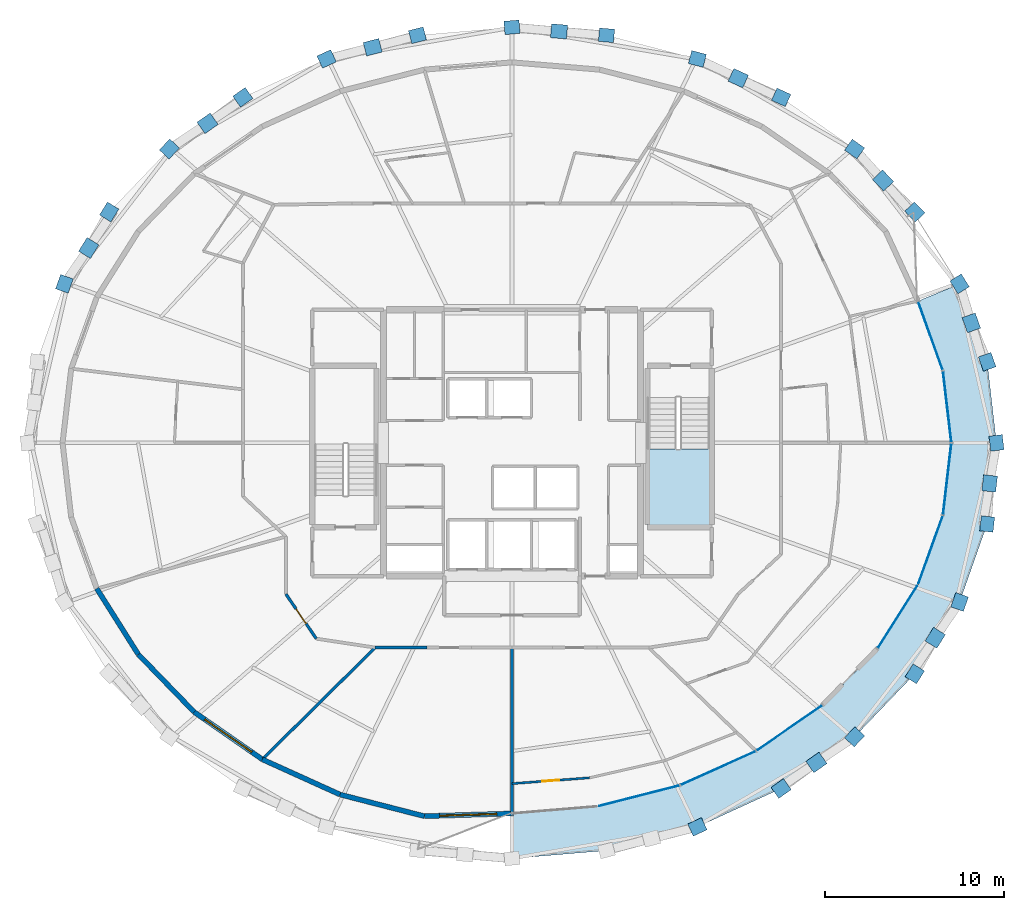
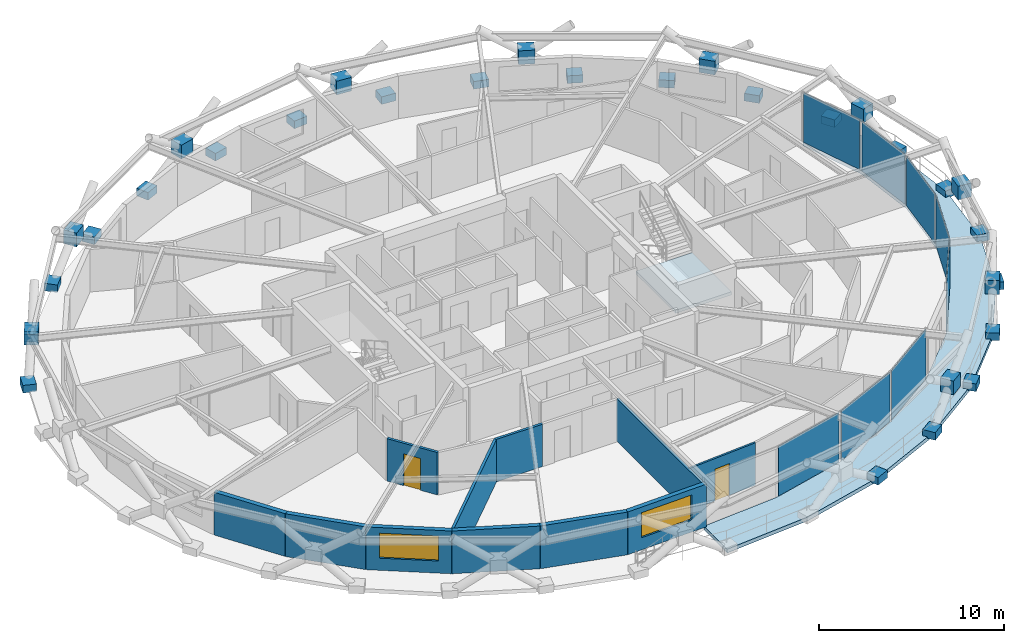
# One storey, part 11 of 16: 39 plates, 11 walls, 2 doors, 2 slabs, 2 windows, 4 openings, 3 elements without a shape of their own.
"""IFC4 building model written with IfcOpenShell, lengths in metres."""

from ifc_helpers import new_model, si_unit, direction, frame, frame_2d, origin, origin_2d, place, context, subcontext, project, spatial, polyline, rectangle, outline, extrude, material, layer, layer_set, type_object, element, fill, aggregate, save


model = new_model("IFC4")

# Units and contexts
model_context = context("Model", 3, precision=1e-05, world=origin(), true_north=direction((0.0, 1.0)))
body_context = subcontext(model_context, "Body", "Model", "MODEL_VIEW")
ifc_project = project(units=[si_unit("LENGTHUNIT", "METRE"), si_unit("AREAUNIT", "SQUARE_METRE"), si_unit("VOLUMEUNIT", "CUBIC_METRE"), si_unit("PLANEANGLEUNIT", "RADIAN"), si_unit("MASSUNIT", "GRAM", prefix="KILO")], contexts=[model_context])

# Site, building, storey
site_placement = place(None, origin())
site = spatial("IfcSite", under=ifc_project, at=site_placement, CompositionType="ELEMENT")
building_placement = place(site_placement, origin())
building = spatial("IfcBuilding", under=site, at=building_placement, Name="Veldorina Hangang Commons", CompositionType="ELEMENT")
storey_placement = place(building_placement, frame((0.0, 0.0, 189.199951171875)))
storey = spatial("IfcBuildingStorey", under=building, at=storey_placement, Name="L49", CompositionType="ELEMENT", Elevation=189.199951171875)

# Curtain wall, plates
ifc_material_1 = material(Name="Glass Low-E Triple IGU", Category="glass")
ifc_layer_1 = layer(ifc_material_1, 0.179931640625)
ifc_layer_set_1 = layer_set([ifc_layer_1], Name="Glass Low-E Triple IGU")
curtain_wall_type = type_object("IfcCurtainWallType", Name="CW-SYS-Z2", PredefinedType="NOTDEFINED", material=ifc_layer_set_1)
curtain_wall_1_placement = place(storey_placement, origin())
curtain_wall_1 = element("IfcCurtainWall", 1, at=curtain_wall_1_placement, inside=storey, type_object=curtain_wall_type, Name="L49 unitised curtain wall CW-L49-R1", PredefinedType="NOTDEFINED")
ifc_layer_2 = layer(ifc_material_1, 0.0400390625)
ifc_layer_set_2 = layer_set([ifc_layer_2], Name="Glass Low-E Triple IGU")
plate_type_1 = type_object("IfcPlateType", Name="CW-PNL-VIS", PredefinedType="CURTAIN_PANEL", material=ifc_layer_set_2)
plate_1_placement = place(storey_placement, frame((39.10205078125, 4.256591796875, 0.01513671875), z_axis=(0.0, 0.0, 1.0), x_axis=(0.968799815159, 0.247844544316, 0.0)))
plate_1 = element("IfcPlate", 2, at=plate_1_placement, type_object=plate_type_1, Name="CW-L49-R1 facet 2 glazed vision panel", PredefinedType="CURTAIN_PANEL", context=body_context, shape_type="SweptSolid", body=[
    extrude(rectangle(XDim=4.580322265625, YDim=0.0400390625, at=origin_2d()), origin(), (0.0, 0.0, 1.0), 3.280029296875),
])
plate_2_placement = place(storey_placement, frame((43.533203125, 5.804443359375, 0.01513671875), z_axis=(0.0, 0.0, 1.0), x_axis=(0.911668830957, 0.410925714285, 0.0)))
plate_2 = element("IfcPlate", 3, at=plate_2_placement, type_object=plate_type_1, Name="CW-L49-R1 facet 3 glazed vision panel", PredefinedType="CURTAIN_PANEL", context=body_context, shape_type="SweptSolid", body=[
    extrude(rectangle(XDim=4.482177734375, YDim=0.0400390625, at=origin_2d()), origin(), (0.0, 0.0, 1.0), 3.280029296875),
])
plate_3_placement = place(storey_placement, frame((47.52099609375, 8.051513671875, 0.01513671875), z_axis=(0.0, 0.0, 1.0), x_axis=(0.822283117715, 0.569078618752, 0.0)))
plate_3 = element("IfcPlate", 4, at=plate_3_placement, type_object=plate_type_1, Name="CW-L49-R1 facet 4 glazed vision panel", PredefinedType="CURTAIN_PANEL", context=body_context, shape_type="SweptSolid", body=[
    extrude(rectangle(XDim=4.3505859375, YDim=0.0400390625, at=origin_2d()), origin(), (0.0, 0.0, 1.0), 3.280029296875),
])
aggregate(curtain_wall_1, [plate_1, plate_2, plate_3])

curtain_wall_2_placement = place(storey_placement, origin())
curtain_wall_2 = element("IfcCurtainWall", 5, at=curtain_wall_2_placement, inside=storey, type_object=curtain_wall_type, Name="L49 unitised curtain wall CW-L49-R2", PredefinedType="NOTDEFINED")
plate_4_placement = place(storey_placement, frame((53.576904296875, 14.2744140625, 0.01513671875), z_axis=(0.0, 0.0, 1.0), x_axis=(0.535355149761, 0.844627055939, 0.0)))
plate_4 = element("IfcPlate", 6, at=plate_4_placement, type_object=plate_type_1, Name="CW-L49-R2 facet 1 glazed vision panel", PredefinedType="CURTAIN_PANEL", context=body_context, shape_type="SweptSolid", body=[
    extrude(rectangle(XDim=4.0634765625, YDim=0.0400390625, at=origin_2d()), origin(), (0.0, 0.0, 1.0), 3.280029296875),
])
plate_5_placement = place(storey_placement, frame((55.412109375, 18.010986328125, 0.01513671875), z_axis=(0.0, 0.0, 1.0), x_axis=(0.33849158663, 0.94096941809, 0.0)))
plate_5 = element("IfcPlate", 7, at=plate_5_placement, type_object=plate_type_1, Name="CW-L49-R2 facet 2 glazed vision panel", PredefinedType="CURTAIN_PANEL", context=body_context, shape_type="SweptSolid", body=[
    extrude(rectangle(XDim=3.953125, YDim=0.0400390625, at=origin_2d()), origin(), (0.0, 0.0, 1.0), 3.280029296875),
])
plate_6_placement = place(storey_placement, frame((56.347900390625, 21.977783203125, 0.01513671875), z_axis=(0.0, 0.0, 1.0), x_axis=(0.116012015769, 0.993247810064, 0.0)))
plate_6 = element("IfcPlate", 8, at=plate_6_placement, type_object=plate_type_1, Name="CW-L49-R2 facet 3 glazed vision panel", PredefinedType="CURTAIN_PANEL", context=body_context, shape_type="SweptSolid", body=[
    extrude(rectangle(XDim=3.89208984375, YDim=0.0400390625, at=origin_2d()), origin(), (0.0, 0.0, 1.0), 3.280029296875),
])
plate_7_placement = place(storey_placement, frame((56.347900390625, 26.022216796875, 0.01513671875), z_axis=(0.0, 0.0, 1.0), x_axis=(-0.116012015769, 0.993247810064, 0.0)))
plate_7 = element("IfcPlate", 9, at=plate_7_placement, type_object=plate_type_1, Name="CW-L49-R2 facet 4 glazed vision panel", PredefinedType="CURTAIN_PANEL", context=body_context, shape_type="SweptSolid", body=[
    extrude(rectangle(XDim=3.89208984375, YDim=0.0400390625, at=origin_2d()), origin(), (0.0, 0.0, 1.0), 3.280029296875),
])
plate_8_placement = place(storey_placement, frame((55.412109375, 29.989013671875, 0.01513671875), z_axis=(0.0, 0.0, 1.0), x_axis=(-0.33849158663, 0.94096941809, 0.0)))
plate_8 = element("IfcPlate", 10, at=plate_8_placement, type_object=plate_type_1, Name="CW-L49-R2 facet 5 glazed vision panel", PredefinedType="CURTAIN_PANEL", context=body_context, shape_type="SweptSolid", body=[
    extrude(rectangle(XDim=3.953125, YDim=0.0400390625, at=origin_2d()), origin(), (0.0, 0.0, 1.0), 3.280029296875),
])
aggregate(curtain_wall_2, [plate_4, plate_5, plate_6, plate_7, plate_8])

# Plates
ifc_material_2 = material(Name="Steel SM460-TMC", Category="steel")
ifc_layer_3 = layer(ifc_material_2, 0.035888671875)
ifc_layer_set_3 = layer_set([ifc_layer_3], Name="Steel SM460-TMC")
plate_type_2 = type_object("IfcPlateType", Name="PL-STAR-36", PredefinedType="USERDEFINED", material=ifc_layer_set_3)
for number, where, z_axis, x_axis, name in (
    (11, (59.10400390625, 24.0, -0.08984375), (0.0, 0.0, 1.0), (-0.114070225565, 0.993472688925, 0.0), "L49 diagrid star-node gusset plate 00"),
    (12, (58.583251953125, 28.5361328125, -0.08984375), (0.0, 0.0, 1.0), (-0.33337906774, 0.94279287078, 0.0), "L49 diagrid star-node gusset plate 01"),
):
    element("IfcPlate", number, at=place(storey_placement, frame(where, z_axis=z_axis, x_axis=x_axis)), inside=storey, type_object=plate_type_2, Name=name, ObjectType="GUSSET PLATE", PredefinedType="USERDEFINED", context=body_context, shape_type="SweptSolid", body=[
        extrude(rectangle(XDim=0.85009765625, YDim=0.75, at=origin_2d()), origin(), (0.0, 0.0, 1.0), 0.5),
    ])
plate_9_placement = place(storey_placement, frame((57.69873046875, 30.71630859375, 1.351318359375), z_axis=(0.0, 0.0, 1.0), x_axis=(-0.33337906774, 0.94279287078, 0.0)))
element("IfcPlate", 13, at=plate_9_placement, inside=storey, type_object=plate_type_2, Name="L49 diagrid X-crossing star-node gusset plate 01", ObjectType="GUSSET PLATE", PredefinedType="USERDEFINED", context=body_context, shape_type="SweptSolid", body=[
    extrude(rectangle(XDim=0.89990234375, YDim=0.780029296875, at=origin_2d()), origin(), (0.0, 0.0, 1.0), 0.89990234375),
])
for number, where, z_axis, x_axis, name in (
    (14, (57.041015625, 32.89794921875, -0.08984375), (0.0, 0.0, 1.0), (-0.528838344516, 0.848722572676, 0.0), "L49 diagrid star-node gusset plate 02"),
    (15, (54.5361328125, 36.917724609375, -0.08984375), (0.0, 0.0, 1.0), (-0.691260861067, 0.722605301639, 0.0), "L49 diagrid star-node gusset plate 03"),
):
    element("IfcPlate", number, at=place(storey_placement, frame(where, z_axis=z_axis, x_axis=x_axis)), inside=storey, type_object=plate_type_2, Name=name, ObjectType="GUSSET PLATE", PredefinedType="USERDEFINED", context=body_context, shape_type="SweptSolid", body=[
        extrude(rectangle(XDim=0.85009765625, YDim=0.75, at=origin_2d()), origin(), (0.0, 0.0, 1.0), 0.5),
    ])
plate_10_placement = place(storey_placement, frame((52.760498046875, 38.67919921875, 1.354248046875), z_axis=(0.0, 0.0, 1.0), x_axis=(-0.691260861067, 0.722605301639, 0.0)))
element("IfcPlate", 16, at=plate_10_placement, inside=storey, type_object=plate_type_2, Name="L49 diagrid X-crossing star-node gusset plate 03", ObjectType="GUSSET PLATE", PredefinedType="USERDEFINED", context=body_context, shape_type="SweptSolid", body=[
    extrude(rectangle(XDim=0.89990234375, YDim=0.780029296875, at=origin_2d()), origin(), (0.0, 0.0, 1.0), 0.89990234375),
])
for number, where, z_axis, x_axis, name in (
    (17, (51.16552734375, 40.44140625, -0.08984375), (0.0, 0.0, 1.0), (-0.817687809993, 0.575661919349, 0.0), "L49 diagrid star-node gusset plate 04"),
    (18, (47.05810546875, 43.3330078125, -0.08984375), (0.0, 0.0, 1.0), (-0.908988922979, 0.416820270503, 0.0), "L49 diagrid star-node gusset plate 05"),
):
    element("IfcPlate", number, at=place(storey_placement, frame(where, z_axis=z_axis, x_axis=x_axis)), inside=storey, type_object=plate_type_2, Name=name, ObjectType="GUSSET PLATE", PredefinedType="USERDEFINED", context=body_context, shape_type="SweptSolid", body=[
        extrude(rectangle(XDim=0.85009765625, YDim=0.75, at=origin_2d()), origin(), (0.0, 0.0, 1.0), 0.5),
    ])
plate_11_placement = place(storey_placement, frame((44.659423828125, 44.40576171875, 1.35693359375), z_axis=(0.0, 0.0, 1.0), x_axis=(-0.908988922979, 0.416820270503, 0.0)))
element("IfcPlate", 19, at=plate_11_placement, inside=storey, type_object=plate_type_2, Name="L49 diagrid X-crossing star-node gusset plate 05", ObjectType="GUSSET PLATE", PredefinedType="USERDEFINED", context=body_context, shape_type="SweptSolid", body=[
    extrude(rectangle(XDim=0.89990234375, YDim=0.780029296875, at=origin_2d()), origin(), (0.0, 0.0, 1.0), 0.89990234375),
])
for number, where, z_axis, x_axis, name in (
    (20, (42.372314453125, 45.481689453125, -0.08984375), (0.0, 0.0, 1.0), (-0.967770733756, 0.251832894763, 0.0), "L49 diagrid star-node gusset plate 06"),
    (21, (37.28759765625, 46.8046875, -0.08984375), (0.0, 0.0, 1.0), (-0.996448909038, 0.084199594279, 0.0), "L49 diagrid star-node gusset plate 07"),
):
    element("IfcPlate", number, at=place(storey_placement, frame(where, z_axis=z_axis, x_axis=x_axis)), inside=storey, type_object=plate_type_2, Name=name, ObjectType="GUSSET PLATE", PredefinedType="USERDEFINED", context=body_context, shape_type="SweptSolid", body=[
        extrude(rectangle(XDim=0.85009765625, YDim=0.75, at=origin_2d()), origin(), (0.0, 0.0, 1.0), 0.5),
    ])
plate_12_placement = place(storey_placement, frame((34.632080078125, 47.02294921875, 1.358154296875), z_axis=(0.0, 0.0, 1.0), x_axis=(-0.996448909038, 0.084199594279, 0.0)))
element("IfcPlate", 22, at=plate_12_placement, inside=storey, type_object=plate_type_2, Name="L49 diagrid X-crossing star-node gusset plate 07", ObjectType="GUSSET PLATE", PredefinedType="USERDEFINED", context=body_context, shape_type="SweptSolid", body=[
    extrude(rectangle(XDim=0.89990234375, YDim=0.780029296875, at=origin_2d()), origin(), (0.0, 0.0, 1.0), 0.89990234375),
])
for number, where, z_axis, x_axis, name in (
    (23, (32.0, 47.25146484375, -0.08984375), (0.0, 0.0, 1.0), (-0.996448909038, -0.084199594279, 0.0), "L49 diagrid star-node gusset plate 08"),
    (24, (26.71240234375, 46.8046875, -0.08984375), (0.0, 0.0, 1.0), (-0.967770733756, -0.251832894763, 0.0), "L49 diagrid star-node gusset plate 09"),
):
    element("IfcPlate", number, at=place(storey_placement, frame(where, z_axis=z_axis, x_axis=x_axis)), inside=storey, type_object=plate_type_2, Name=name, ObjectType="GUSSET PLATE", PredefinedType="USERDEFINED", context=body_context, shape_type="SweptSolid", body=[
        extrude(rectangle(XDim=0.85009765625, YDim=0.75, at=origin_2d()), origin(), (0.0, 0.0, 1.0), 0.5),
    ])
plate_13_placement = place(storey_placement, frame((24.2060546875, 46.134765625, 1.357666015625), z_axis=(0.0, 0.0, 1.0), x_axis=(-0.967770733756, -0.251832894763, 0.0)))
element("IfcPlate", 25, at=plate_13_placement, inside=storey, type_object=plate_type_2, Name="L49 diagrid X-crossing star-node gusset plate 09", ObjectType="GUSSET PLATE", PredefinedType="USERDEFINED", context=body_context, shape_type="SweptSolid", body=[
    extrude(rectangle(XDim=0.89990234375, YDim=0.780029296875, at=origin_2d()), origin(), (0.0, 0.0, 1.0), 0.89990234375),
])
for number, where, z_axis, x_axis, name in (
    (26, (21.627685546875, 45.481689453125, -0.08984375), (0.0, 0.0, 1.0), (-0.908988922979, -0.416820270503, 0.0), "L49 diagrid star-node gusset plate 10"),
    (27, (16.94189453125, 43.3330078125, -0.08984375), (0.0, 0.0, 1.0), (-0.817687809993, -0.575661919349, 0.0), "L49 diagrid star-node gusset plate 11"),
):
    element("IfcPlate", number, at=place(storey_placement, frame(where, z_axis=z_axis, x_axis=x_axis)), inside=storey, type_object=plate_type_2, Name=name, ObjectType="GUSSET PLATE", PredefinedType="USERDEFINED", context=body_context, shape_type="SweptSolid", body=[
        extrude(rectangle(XDim=0.85009765625, YDim=0.75, at=origin_2d()), origin(), (0.0, 0.0, 1.0), 0.5),
    ])
plate_14_placement = place(storey_placement, frame((14.968505859375, 41.87841796875, 1.355712890625), z_axis=(0.0, 0.0, 1.0), x_axis=(-0.817687809993, -0.575661919349, 0.0)))
element("IfcPlate", 28, at=plate_14_placement, inside=storey, type_object=plate_type_2, Name="L49 diagrid X-crossing star-node gusset plate 11", ObjectType="GUSSET PLATE", PredefinedType="USERDEFINED", context=body_context, shape_type="SweptSolid", body=[
    extrude(rectangle(XDim=0.89990234375, YDim=0.780029296875, at=origin_2d()), origin(), (0.0, 0.0, 1.0), 0.89990234375),
])
for number, where, z_axis, x_axis, name in (
    (29, (12.83447265625, 40.44140625, -0.08984375), (0.0, 0.0, 1.0), (-0.691260861067, -0.722605301639, 0.0), "L49 diagrid star-node gusset plate 12"),
    (30, (9.4638671875, 36.917724609375, -0.08984375), (0.0, 0.0, 1.0), (-0.528838344516, -0.848722572676, 0.0), "L49 diagrid star-node gusset plate 13"),
):
    element("IfcPlate", number, at=place(storey_placement, frame(where, z_axis=z_axis, x_axis=x_axis)), inside=storey, type_object=plate_type_2, Name=name, ObjectType="GUSSET PLATE", PredefinedType="USERDEFINED", context=body_context, shape_type="SweptSolid", body=[
        extrude(rectangle(XDim=0.85009765625, YDim=0.75, at=origin_2d()), origin(), (0.0, 0.0, 1.0), 0.5),
    ])
plate_15_placement = place(storey_placement, frame((8.322509765625, 34.902587890625, 1.352783203125), z_axis=(0.0, 0.0, 1.0), x_axis=(-0.528838344516, -0.848722572676, 0.0)))
element("IfcPlate", 31, at=plate_15_placement, inside=storey, type_object=plate_type_2, Name="L49 diagrid X-crossing star-node gusset plate 13", ObjectType="GUSSET PLATE", PredefinedType="USERDEFINED", context=body_context, shape_type="SweptSolid", body=[
    extrude(rectangle(XDim=0.89990234375, YDim=0.780029296875, at=origin_2d()), origin(), (0.0, 0.0, 1.0), 0.89990234375),
])
for number, where, z_axis, x_axis, name in (
    (32, (6.958984375, 32.89794921875, -0.08984375), (0.0, 0.0, 1.0), (-0.33337906774, -0.94279287078, 0.0), "L49 diagrid star-node gusset plate 14"),
    (33, (42.372314453125, 2.518310546875, -0.08984375), (0.0, 0.0, 1.0), (0.908988922979, 0.416820270503, 0.0), "L49 diagrid star-node gusset plate 26"),
    (34, (47.05810546875, 4.6669921875, -0.08984375), (0.0, 0.0, 1.0), (0.817687809993, 0.575661919349, 0.0), "L49 diagrid star-node gusset plate 27"),
):
    element("IfcPlate", number, at=place(storey_placement, frame(where, z_axis=z_axis, x_axis=x_axis)), inside=storey, type_object=plate_type_2, Name=name, ObjectType="GUSSET PLATE", PredefinedType="USERDEFINED", context=body_context, shape_type="SweptSolid", body=[
        extrude(rectangle(XDim=0.85009765625, YDim=0.75, at=origin_2d()), origin(), (0.0, 0.0, 1.0), 0.5),
    ])
plate_16_placement = place(storey_placement, frame((49.031494140625, 6.12158203125, 1.355712890625), z_axis=(0.0, 0.0, 1.0), x_axis=(0.817687809993, 0.575661919349, 0.0)))
element("IfcPlate", 35, at=plate_16_placement, inside=storey, type_object=plate_type_2, Name="L49 diagrid X-crossing star-node gusset plate 27", ObjectType="GUSSET PLATE", PredefinedType="USERDEFINED", context=body_context, shape_type="SweptSolid", body=[
    extrude(rectangle(XDim=0.89990234375, YDim=0.780029296875, at=origin_2d()), origin(), (0.0, 0.0, 1.0), 0.89990234375),
])
for number, where, z_axis, x_axis, name in (
    (36, (51.16552734375, 7.55859375, -0.08984375), (0.0, 0.0, 1.0), (0.691260861067, 0.722605301639, 0.0), "L49 diagrid star-node gusset plate 28"),
    (37, (54.5361328125, 11.082275390625, -0.08984375), (0.0, 0.0, 1.0), (0.528838344516, 0.848722572676, 0.0), "L49 diagrid star-node gusset plate 29"),
):
    element("IfcPlate", number, at=place(storey_placement, frame(where, z_axis=z_axis, x_axis=x_axis)), inside=storey, type_object=plate_type_2, Name=name, ObjectType="GUSSET PLATE", PredefinedType="USERDEFINED", context=body_context, shape_type="SweptSolid", body=[
        extrude(rectangle(XDim=0.85009765625, YDim=0.75, at=origin_2d()), origin(), (0.0, 0.0, 1.0), 0.5),
    ])
plate_17_placement = place(storey_placement, frame((55.677490234375, 13.097412109375, 1.352783203125), z_axis=(0.0, 0.0, 1.0), x_axis=(0.528838344516, 0.848722572676, 0.0)))
element("IfcPlate", 38, at=plate_17_placement, inside=storey, type_object=plate_type_2, Name="L49 diagrid X-crossing star-node gusset plate 29", ObjectType="GUSSET PLATE", PredefinedType="USERDEFINED", context=body_context, shape_type="SweptSolid", body=[
    extrude(rectangle(XDim=0.89990234375, YDim=0.780029296875, at=origin_2d()), origin(), (0.0, 0.0, 1.0), 0.89990234375),
])
for number, where, z_axis, x_axis, name in (
    (39, (57.041015625, 15.10205078125, -0.08984375), (0.0, 0.0, 1.0), (0.33337906774, 0.94279287078, 0.0), "L49 diagrid star-node gusset plate 30"),
    (40, (58.583251953125, 19.4638671875, -0.08984375), (0.0, 0.0, 1.0), (0.114070225565, 0.993472688925, 0.0), "L49 diagrid star-node gusset plate 31"),
):
    element("IfcPlate", number, at=place(storey_placement, frame(where, z_axis=z_axis, x_axis=x_axis)), inside=storey, type_object=plate_type_2, Name=name, ObjectType="GUSSET PLATE", PredefinedType="USERDEFINED", context=body_context, shape_type="SweptSolid", body=[
        extrude(rectangle(XDim=0.85009765625, YDim=0.75, at=origin_2d()), origin(), (0.0, 0.0, 1.0), 0.5),
    ])
plate_18_placement = place(storey_placement, frame((58.7216796875, 21.732666015625, 1.3505859375), z_axis=(0.0, 0.0, 1.0), x_axis=(0.114070225565, 0.993472688925, 0.0)))
element("IfcPlate", 41, at=plate_18_placement, inside=storey, type_object=plate_type_2, Name="L49 diagrid X-crossing star-node gusset plate 31", ObjectType="GUSSET PLATE", PredefinedType="USERDEFINED", context=body_context, shape_type="SweptSolid", body=[
    extrude(rectangle(XDim=0.89990234375, YDim=0.780029296875, at=origin_2d()), origin(), (0.0, 0.0, 1.0), 0.89990234375),
])

# Slab
ifc_material_3 = material(Name="Concrete C40/50", Category="concrete")
ifc_layer_4 = layer(ifc_material_3, 0.25)
ifc_layer_set_4 = layer_set([ifc_layer_4], Name="Concrete C40/50")
slab_type_1 = type_object("IfcSlabType", Name="SL-FLR-250", PredefinedType="FLOOR", material=ifc_layer_set_4)
slab_1_placement = place(storey_placement, frame((0.0, 0.0, -0.25)))
element("IfcSlab", 42, at=slab_1_placement, inside=storey, type_object=slab_type_1, Name="L49 sky-garden loggia outdoor slab", PredefinedType="FLOOR", context=body_context, shape_type="SweptSolid", body=[
    extrude(outline(polyline([(57.041015625, 32.89794921875), (58.583251953125, 28.5361328125), (59.10400390625, 24.0), (58.583251953125, 19.4638671875), (57.041015625, 15.10205078125), (54.5361328125, 11.082275390625), (51.16552734375, 7.55859375), (47.05810546875, 4.6669921875), (42.372314453125, 2.518310546875), (37.28759765625, 1.1953125), (32.0, 0.74853515625), (32.0, 3.25244140625), (32.00341796875, 3.253662109375), (36.79736328125, 3.65185546875), (36.798583984375, 3.652099609375), (36.7998046875, 3.65234375), (41.41162109375, 4.83203125), (41.412841796875, 4.83251953125), (41.4140625, 4.8330078125), (45.664306640625, 6.748779296875), (45.66552734375, 6.749267578125), (45.666748046875, 6.75), (49.39208984375, 9.328369140625), (49.393310546875, 9.3291015625), (49.394287109375, 9.330078125), (52.45166015625, 12.4716796875), (52.45263671875, 12.472900390625), (52.45361328125, 12.47412109375), (54.725341796875, 16.058349609375), (54.726318359375, 16.059814453125), (54.726806640625, 16.061279296875), (56.125732421875, 19.950439453125), (56.126220703125, 19.9521484375), (56.126708984375, 19.953857421875), (56.59912109375, 23.998291015625), (56.59912109375, 24.0), (56.59912109375, 24.001708984375), (56.126708984375, 28.046142578125), (56.126220703125, 28.0478515625), (56.125732421875, 28.049560546875), (54.7275390625, 31.9365234375), (54.7275390625, 31.939697265625), (57.041015625, 32.89794921875)])), origin(), (0.0, 0.0, 1.0), 0.25),
])

# Stair, slab
stair_type = type_object("IfcStairType", Name="STR-DOG-1650-20R", PredefinedType="HALF_TURN_STAIR", material=ifc_material_3)
stair_placement = place(storey_placement, origin())
stair = element("IfcStair", 43, at=stair_placement, inside=storey, type_object=stair_type, Name="L49 Exit stair ST-2", PredefinedType="HALF_TURN_STAIR")
ifc_layer_5 = layer(ifc_material_3, 0.199951171875)
ifc_layer_set_5 = layer_set([ifc_layer_5], Name="Concrete C40/50")
slab_type_2 = type_object("IfcSlabType", Name="SL-LND-200", PredefinedType="LANDING", material=ifc_layer_set_5)
slab_2_placement = place(storey_placement, frame((0.0, 0.0, 1.60009765625)))
slab_2 = element("IfcSlab", 44, at=slab_2_placement, type_object=slab_type_2, Name="ST-2 landing 1", PredefinedType="LANDING", context=body_context, shape_type="SweptSolid", body=[
    extrude(outline(polyline([(39.550048828125, 23.669921875), (39.550048828125, 19.39990234375), (43.050048828125, 19.39990234375), (43.050048828125, 23.669921875), (39.550048828125, 23.669921875)])), origin(), (0.0, 0.0, 1.0), 0.199951171875),
])
aggregate(stair, [slab_2])

# Walls
ifc_material_4 = material(Name="Stone Roman Travertine", Category="masonry")
ifc_layer_6 = layer(ifc_material_4, 0.280029296875)
ifc_layer_set_6 = layer_set([ifc_layer_6], Name="Stone Roman Travertine")
wall_type_1 = type_object("IfcWallType", Name="EW-TRAV-280", PredefinedType="STANDARD", material=ifc_layer_set_6)
wall_1_placement = place(storey_placement, frame((8.77001953125, 15.85205078125, 0.0), z_axis=(0.0, 0.0, 1.0), x_axis=(0.533779843876, -0.845623484934, 0.0)))
element("IfcWall", 45, at=wall_1_placement, inside=storey, type_object=wall_type_1, Name="L49 travertine facade wall 18", PredefinedType="STANDARD", context=body_context, shape_type="SweptSolid", body=[
    extrude(rectangle(XDim=4.352783203125, YDim=0.280029296875, at=frame_2d((2.17626953125, 0.0))), origin(), (0.0, 0.0, 1.0), 2.820068359375),
])
wall_2_placement = place(storey_placement, frame((11.093505859375, 12.171142578125, 0.0), z_axis=(0.0, 0.0, 1.0), x_axis=(0.695935353848, -0.718104437575, 0.0)))
element("IfcWall", 46, at=wall_2_placement, inside=storey, type_object=wall_type_1, Name="L49 travertine facade wall 19", PredefinedType="STANDARD", context=body_context, shape_type="SweptSolid", body=[
    extrude(rectangle(XDim=4.4931640625, YDim=0.280029296875, at=frame_2d((2.24658203125, 0.0))), origin(), (0.0, 0.0, 1.0), 2.820068359375),
])

# Wall, opening, window
wall_3_placement = place(storey_placement, frame((14.220458984375, 8.944580078125, 0.0), z_axis=(0.0, 0.0, 1.0), x_axis=(0.821202162047, -0.570637370885, 0.0)))
wall_3 = element("IfcWall", 47, at=wall_3_placement, inside=storey, type_object=wall_type_1, Name="L49 travertine facade wall 20", PredefinedType="STANDARD", context=body_context, shape_type="SweptSolid", body=[
    extrude(rectangle(XDim=4.639892578125, YDim=0.280029296875, at=frame_2d((2.31982421875, 0.0))), origin(), (0.0, 0.0, 1.0), 2.820068359375),
])
opening_1_placement = place(wall_3_placement, frame((0.719970703125, 0.0, 0.800048828125)))
opening_1 = element("IfcOpeningElement", 48, at=opening_1_placement, cuts=wall_3, Name="Opening W-01", PredefinedType="OPENING", context=body_context, shape_type="SweptSolid", body=[
    extrude(rectangle(XDim=3.199951171875, YDim=1.64990234375, at=frame_2d((1.60009765625, 0.824951171875))), frame((0.0, 0.14990234375, 0.0), z_axis=(0.0, -1.0, 0.0), x_axis=(1.0, 0.0, 0.0)), (0.0, 0.0, 1.0), 0.300048828125),
])
window_type = type_object("IfcWindowType", Name="WIN-TWR-3200", PartitioningType="SINGLE_PANEL", PredefinedType="WINDOW", material=ifc_material_1)
window_1_placement = place(opening_1_placement, origin())
window_1 = element("IfcWindow", 49, at=window_1_placement, inside=storey, type_object=window_type, Name="L49 facade window 20", OverallHeight=1.64990234375, OverallWidth=3.199951171875, PartitioningType="SINGLE_PANEL", PredefinedType="WINDOW", context=body_context, shape_type="SweptSolid", body=[
    extrude(rectangle(XDim=3.199951171875, YDim=1.64990234375, at=frame_2d((1.60009765625, 0.824951171875))), frame((0.0, 0.030029296875, 0.0), z_axis=(0.0, -1.0, 0.0), x_axis=(1.0, 0.0, 0.0)), (0.0, 0.0, 1.0), 0.06005859375),
])
fill(opening_1, window_1)

# Walls
wall_4_placement = place(storey_placement, frame((18.03076171875, 6.296875, 0.0), z_axis=(0.0, 0.0, 1.0), x_axis=(0.911004961114, -0.412395393798, 0.0)))
element("IfcWall", 50, at=wall_4_placement, inside=storey, type_object=wall_type_1, Name="L49 travertine facade wall 21", PredefinedType="STANDARD", context=body_context, shape_type="SweptSolid", body=[
    extrude(rectangle(XDim=4.771484375, YDim=0.280029296875, at=frame_2d((2.3857421875, 0.0))), origin(), (0.0, 0.0, 1.0), 2.820068359375),
])
wall_5_placement = place(storey_placement, frame((22.377685546875, 4.3291015625, 0.0), z_axis=(0.0, 0.0, 1.0), x_axis=(0.968565442011, -0.248758888367, 0.0)))
element("IfcWall", 51, at=wall_5_placement, inside=storey, type_object=wall_type_1, Name="L49 travertine facade wall 22", PredefinedType="STANDARD", context=body_context, shape_type="SweptSolid", body=[
    extrude(rectangle(XDim=4.869873046875, YDim=0.280029296875, at=frame_2d((2.43505859375, 0.0))), origin(), (0.0, 0.0, 1.0), 2.820068359375),
])

# Wall, opening, window
wall_6_placement = place(storey_placement, frame((27.094482421875, 3.11767578125, 0.0), z_axis=(0.0, 0.0, 1.0), x_axis=(0.999528232308, 0.030713398052, 0.0)))
wall_6 = element("IfcWall", 52, at=wall_6_placement, inside=storey, type_object=wall_type_1, Name="L49 travertine facade wall 23", PredefinedType="STANDARD", context=body_context, shape_type="SweptSolid", body=[
    extrude(rectangle(XDim=5.0, YDim=0.280029296875, at=frame_2d((2.5, 0.0))), origin(), (0.0, 0.0, 1.0), 2.820068359375),
])
opening_2_placement = place(wall_6_placement, frame((0.85400390625, 0.0, 0.800048828125)))
opening_2 = element("IfcOpeningElement", 53, at=opening_2_placement, cuts=wall_6, Name="Opening W-01", PredefinedType="OPENING", context=body_context, shape_type="SweptSolid", body=[
    extrude(rectangle(XDim=3.199951171875, YDim=1.64990234375, at=frame_2d((1.60009765625, 0.824951171875))), frame((0.0, 0.14990234375, 0.0), z_axis=(0.0, -1.0, 0.0), x_axis=(1.0, 0.0, 0.0)), (0.0, 0.0, 1.0), 0.300048828125),
])
window_2_placement = place(opening_2_placement, origin())
window_2 = element("IfcWindow", 54, at=window_2_placement, inside=storey, type_object=window_type, Name="L49 facade window 23", OverallHeight=1.64990234375, OverallWidth=3.199951171875, PartitioningType="SINGLE_PANEL", PredefinedType="WINDOW", context=body_context, shape_type="SweptSolid", body=[
    extrude(rectangle(XDim=3.199951171875, YDim=1.64990234375, at=frame_2d((1.60009765625, 0.824951171875))), frame((0.0, 0.030029296875, 0.0), z_axis=(0.0, -1.0, 0.0), x_axis=(1.0, 0.0, 0.0)), (0.0, 0.0, 1.0), 0.06005859375),
])
fill(opening_2, window_2)

# Wall, opening, door
ifc_material_5 = material(Name="Gypsum Fire-Rated Twin Stud Wall", Category="gypsum")
ifc_layer_7 = layer(ifc_material_5, 0.159912109375)
ifc_layer_set_7 = layer_set([ifc_layer_7], Name="Gypsum Fire-Rated Twin Stud Wall")
wall_type_2 = type_object("IfcWallType", Name="WL-FIRE-160", PredefinedType="SOLIDWALL", material=ifc_layer_set_7)
wall_7_placement = place(storey_placement, frame((19.35009765625, 15.547607421875, 0.0), z_axis=(0.0, 0.0, 1.0), x_axis=(0.562674669208, -0.826678423955, 0.0)))
wall_7 = element("IfcWall", 55, at=wall_7_placement, inside=storey, type_object=wall_type_2, Name="L49 U-corridor outer wall 19 067", PredefinedType="SOLIDWALL", context=body_context, shape_type="SweptSolid", body=[
    extrude(rectangle(XDim=3.021240234375, YDim=0.159912109375, at=frame_2d((1.5107421875, 0.0))), origin(), (0.0, 0.0, 1.0), 2.800048828125),
])
opening_3_placement = place(wall_7_placement, frame((1.010498046875, 0.0, 0.0)))
opening_3 = element("IfcOpeningElement", 56, at=opening_3_placement, cuts=wall_7, Name="Opening D-05", PredefinedType="OPENING", context=body_context, shape_type="SweptSolid", body=[
    extrude(rectangle(XDim=1.0, YDim=2.10009765625, at=frame_2d((0.5, 1.050048828125))), frame((0.0, 0.08984375, 0.0), z_axis=(0.0, -1.0, 0.0), x_axis=(1.0, 0.0, 0.0)), (0.0, 0.0, 1.0), 0.179931640625),
])
ifc_material_6 = material(Name="Timber Solid Core Acoustic", Category="wood")
door_type_1 = type_object("IfcDoorType", Name="DR-INT-1000", OperationType="SINGLE_SWING_RIGHT", PredefinedType="DOOR", material=ifc_material_6)
door_1_placement = place(opening_3_placement, origin())
door_1 = element("IfcDoor", 57, at=door_1_placement, inside=storey, type_object=door_type_1, Name="L49 Floor Study Room 7 door 035", OperationType="SINGLE_SWING_LEFT", OverallHeight=2.10009765625, OverallWidth=1.0, PredefinedType="DOOR", context=body_context, shape_type="SweptSolid", body=[
    extrude(rectangle(XDim=1.0, YDim=2.10009765625, at=frame_2d((0.5, 1.050048828125))), frame((0.0, 0.02490234375, 0.0), z_axis=(0.0, -1.0, 0.0), x_axis=(1.0, 0.0, 0.0)), (0.0, 0.0, 1.0), 0.050048828125),
])
fill(opening_3, door_1)

# Walls
wall_8_placement = place(storey_placement, frame((24.349365234375, 12.550048828125, 0.0), z_axis=(0.0, 0.0, 1.0), x_axis=(1.0, 0.0, 0.0)))
element("IfcWall", 58, at=wall_8_placement, inside=storey, type_object=wall_type_2, Name="L49 U-corridor outer wall 21 069", PredefinedType="SOLIDWALL", context=body_context, shape_type="SweptSolid", body=[
    extrude(rectangle(XDim=2.907958984375, YDim=0.159912109375, at=frame_2d((1.4541015625, 0.0))), origin(), (0.0, 0.0, 1.0), 2.800048828125),
])
wall_9_placement = place(storey_placement, frame((24.349365234375, 12.550048828125, 0.0), z_axis=(0.0, 0.0, 1.0), x_axis=(-0.710784209706, -0.703410127332, 0.0)))
element("IfcWall", 59, at=wall_9_placement, inside=storey, type_object=wall_type_2, Name="L49 Unit party wall 21 107", PredefinedType="SOLIDWALL", context=body_context, shape_type="SweptSolid", body=[
    extrude(rectangle(XDim=8.83984375, YDim=0.159912109375, at=frame_2d((4.419921875, 0.0))), origin(), (0.0, 0.0, 1.0), 2.800048828125),
])
wall_10_placement = place(storey_placement, frame((32.0, 12.550048828125, 0.0), z_axis=(0.0, 0.0, 1.0), x_axis=(0.0, -1.0, 0.0)))
element("IfcWall", 60, at=wall_10_placement, inside=storey, type_object=wall_type_2, Name="L49 Unit party wall 24 108", PredefinedType="SOLIDWALL", context=body_context, shape_type="SweptSolid", body=[
    extrude(rectangle(XDim=9.2314453125, YDim=0.159912109375, at=frame_2d((4.61572265625, 0.0))), origin(), (0.0, 0.0, 1.0), 2.800048828125),
])

# Wall, opening, door
ifc_material_7 = material(Name="Gypsum Acoustic Stud Partition", Category="gypsum")
ifc_layer_8 = layer(ifc_material_7, 0.1201171875)
ifc_layer_set_8 = layer_set([ifc_layer_8], Name="Gypsum Acoustic Stud Partition")
wall_type_3 = type_object("IfcWallType", Name="WL-PART-120", PredefinedType="PARTITIONING", material=ifc_layer_set_8)
wall_11_placement = place(storey_placement, frame((32.0, 4.939208984375, 0.0), z_axis=(0.0, 0.0, 1.0), x_axis=(0.99718298056, 0.075007354845, 0.0)))
wall_11 = element("IfcWall", 61, at=wall_11_placement, inside=storey, type_object=wall_type_3, Name="L49 Laundry split 0 109", PredefinedType="PARTITIONING", context=body_context, shape_type="SweptSolid", body=[
    extrude(rectangle(XDim=4.35498046875, YDim=0.1201171875, at=frame_2d((2.177490234375, 0.0))), origin(), (0.0, 0.0, 1.0), 2.800048828125),
])
opening_4_placement = place(wall_11_placement, frame((1.70263671875, 0.0, 0.0)))
opening_4 = element("IfcOpeningElement", 62, at=opening_4_placement, cuts=wall_11, Name="Opening D-02", PredefinedType="OPENING", context=body_context, shape_type="SweptSolid", body=[
    extrude(rectangle(XDim=0.949951171875, YDim=2.10009765625, at=frame_2d((0.47509765625, 1.050048828125))), frame((0.0, 0.070068359375, 0.0), z_axis=(0.0, -1.0, 0.0), x_axis=(1.0, 0.0, 0.0)), (0.0, 0.0, 1.0), 0.14013671875),
])
door_type_2 = type_object("IfcDoorType", Name="DR-INT-950", OperationType="SINGLE_SWING_LEFT", PredefinedType="DOOR", material=ifc_material_6)
door_2_placement = place(opening_4_placement, origin())
door_2 = element("IfcDoor", 63, at=door_2_placement, inside=storey, type_object=door_type_2, Name="L49 Resident laundry inner door 038", OperationType="SINGLE_SWING_RIGHT", OverallHeight=2.10009765625, OverallWidth=0.949951171875, PredefinedType="DOOR", context=body_context, shape_type="SweptSolid", body=[
    extrude(rectangle(XDim=0.949951171875, YDim=2.10009765625, at=frame_2d((0.47509765625, 1.050048828125))), frame((0.0, 0.02490234375, 0.0), z_axis=(0.0, -1.0, 0.0), x_axis=(1.0, 0.0, 0.0)), (0.0, 0.0, 1.0), 0.050048828125),
])
fill(opening_4, door_2)

save(model, "model.ifc")
